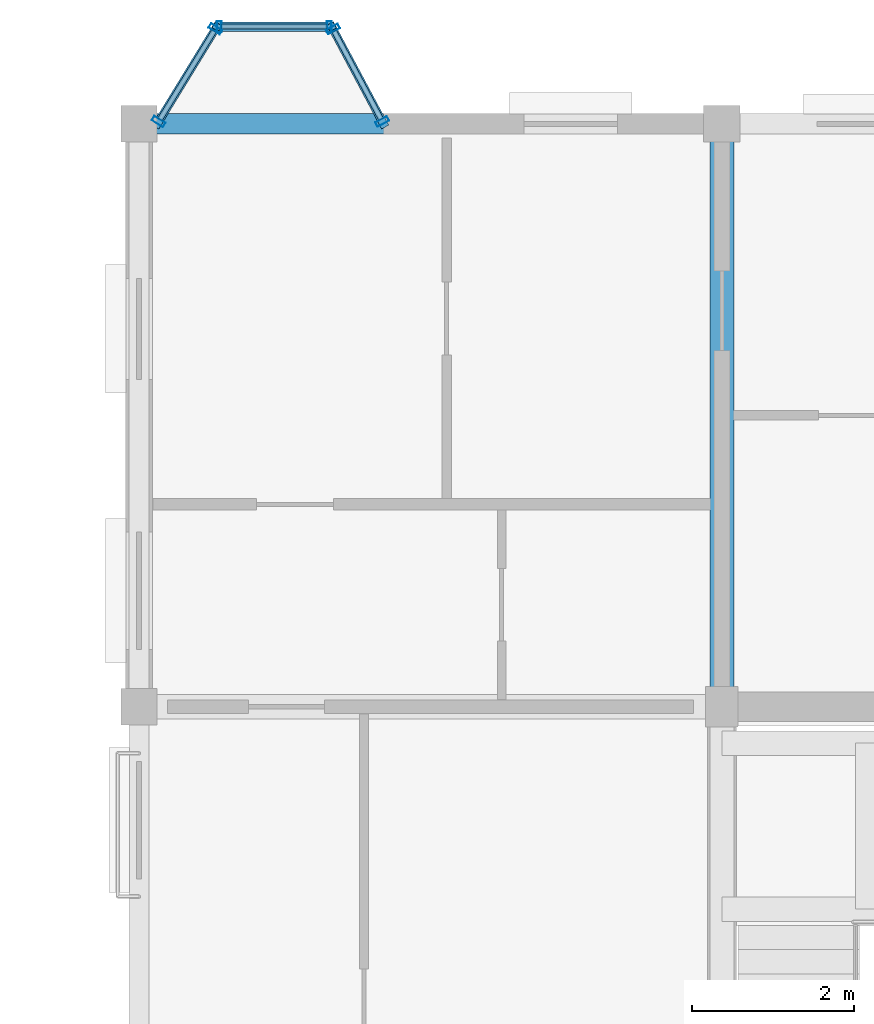
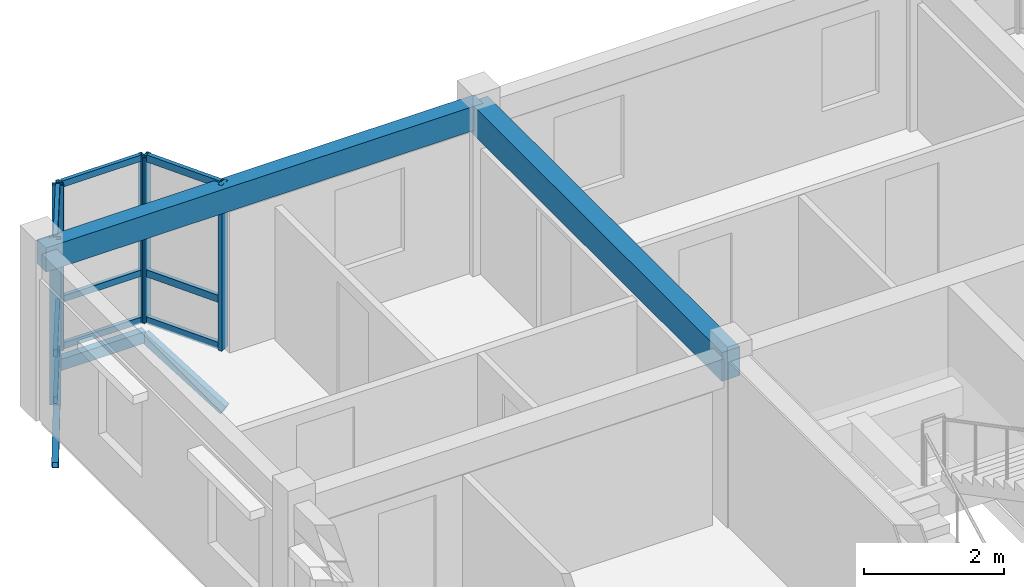
# One storey, part 10 of 28: 18 members, 2 beams, 3 elements without a shape of their own.
"""IFC4 building model written with IfcOpenShell, lengths in metres."""

from ifc_helpers import new_model, si_unit, direction, frame, origin, origin_2d, place, context, subcontext, project, spatial, rectangle, hollow_rectangle, extrude, material, layer, layer_set, material_profile, profile_set, type_object, element, aggregate, save


model = new_model("IFC4")

# Units and contexts
model_context = context("Model", 3, precision=1e-05, world=origin(), true_north=direction((0.0, 1.0)))
body_context = subcontext(model_context, "Body", "Model", "MODEL_VIEW")
ifc_project = project(units=[si_unit("LENGTHUNIT", "METRE"), si_unit("AREAUNIT", "SQUARE_METRE"), si_unit("VOLUMEUNIT", "CUBIC_METRE"), si_unit("PLANEANGLEUNIT", "RADIAN"), si_unit("MASSUNIT", "GRAM", prefix="KILO"), si_unit("THERMODYNAMICTEMPERATUREUNIT", "KELVIN"), si_unit("POWERUNIT", "WATT")], contexts=[model_context])

# Site, building, storey
site_placement = place(None, origin())
site = spatial("IfcSite", under=ifc_project, at=site_placement, CompositionType="ELEMENT")
building_placement = place(site_placement, origin())
building = spatial("IfcBuilding", under=site, at=building_placement, Name="Tavuni Mirador Residences", CompositionType="ELEMENT")
storey_placement = place(building_placement, frame((0.0, 0.0, 39.14990234375)))
storey = spatial("IfcBuildingStorey", under=building, at=storey_placement, Name="L12", CompositionType="ELEMENT", Elevation=39.14990234375)

# Beams
ifc_material_1 = material(Name="Precast concrete C40/50", Category="concrete")
ifc_material_profile_1 = material_profile(ifc_material_1, rectangle(XDim=0.300048828125, YDim=0.5, at=origin_2d()), Name="PC 300x500", Category="concrete")
ifc_profile_set_1 = profile_set([ifc_material_profile_1], Name="Precast concrete C40/50")
beam_type_1 = type_object("IfcBeamType", Name="BT-B500", PredefinedType="BEAM", material=ifc_profile_set_1)
beam_1_placement = place(storey_placement, frame((25.199951171875, 165.60009765625, 2.635009765625), z_axis=(0.0, 1.0, 0.0), x_axis=(-1.0, 0.0, 0.0)))
element("IfcBeam", 1, at=beam_1_placement, inside=storey, type_object=beam_type_1, Name="BMY-BLK-C-L12-01-02", PredefinedType="BEAM", context=body_context, shape_type="SweptSolid", body=[
    extrude(rectangle(XDim=0.300048828125, YDim=0.5, at=origin_2d()), origin(), (0.0, 0.0, 1.0), 7.199951171875),
])
ifc_material_profile_2 = material_profile(ifc_material_1, rectangle(XDim=0.25, YDim=0.419921875, at=origin_2d()), Name="PC 250x420", Category="concrete")
ifc_profile_set_2 = profile_set([ifc_material_profile_2], Name="Precast concrete C40/50")
beam_type_2 = type_object("IfcBeamType", Name="BT-SP420", PredefinedType="SPANDREL", material=ifc_profile_set_2)
beam_2_placement = place(storey_placement, frame((18.0, 172.800048828125, 2.675048828125), z_axis=(1.0, 0.0, 0.0), x_axis=(0.0, 1.0, 0.0)))
element("IfcBeam", 2, at=beam_2_placement, inside=storey, type_object=beam_type_2, Name="BMX-BLK-C-L12-00-03", PredefinedType="SPANDREL", context=body_context, shape_type="SweptSolid", body=[
    extrude(rectangle(XDim=0.25, YDim=0.419921875, at=origin_2d()), origin(), (0.0, 0.0, 1.0), 7.199951171875),
])

# Curtain wall, members
ifc_material_2 = material(Name="Anodised aluminium", Category="aluminium")
ifc_layer_1 = layer(ifc_material_2, 0.1650390625, Name="Anodised aluminium", Category="aluminium")
ifc_layer_set_1 = layer_set([ifc_layer_1], Name="Anodised aluminium")
curtain_wall_type_1 = type_object("IfcCurtainWallType", Name="CWT-MIR-A", PredefinedType="NOTDEFINED", material=ifc_layer_set_1)
curtain_wall_1_placement = place(storey_placement, origin())
curtain_wall_1 = element("IfcCurtainWall", 3, at=curtain_wall_1_placement, inside=storey, type_object=curtain_wall_type_1, Name="CW-MIR-C-N1-L12-MF", PredefinedType="NOTDEFINED")
ifc_material_profile_3 = material_profile(ifc_material_2, hollow_rectangle(XDim=0.06005859375, YDim=0.139892578125, WallThickness=0.00390625, at=origin_2d()), Name="ALU 60x140x4.0", Category="aluminium")
ifc_profile_set_3 = profile_set([ifc_material_profile_3], Name="Anodised aluminium")
member_type_1 = type_object("IfcMemberType", Name="CWM-140", PredefinedType="MULLION", material=ifc_profile_set_3)
member_1_placement = place(storey_placement, frame((20.35009765625, 174.0, 0.0), z_axis=(0.0, 0.0, 1.0), x_axis=(-1.0, 0.0, 0.0)))
member_1 = element("IfcMember", 4, at=member_1_placement, type_object=member_type_1, Name="CW-01 mullion 1", PredefinedType="MULLION", context=body_context, shape_type="SweptSolid", body=[
    extrude(hollow_rectangle(XDim=0.06005859375, YDim=0.139892578125, WallThickness=0.00390625, at=origin_2d()), origin(), (0.0, 0.0, 1.0), 2.885009765625),
])
member_2_placement = place(storey_placement, frame((18.989990234375, 174.0, 0.0), z_axis=(0.0, 0.0, 1.0), x_axis=(-1.0, 0.0, 0.0)))
member_2 = element("IfcMember", 5, at=member_2_placement, type_object=member_type_1, Name="CW-01 mullion 2", PredefinedType="MULLION", context=body_context, shape_type="SweptSolid", body=[
    extrude(hollow_rectangle(XDim=0.06005859375, YDim=0.139892578125, WallThickness=0.00390625, at=origin_2d()), origin(), (0.0, 0.0, 1.0), 2.885009765625),
])

ifc_layer_2 = layer(ifc_material_2, 0.159912109375, Name="Anodised aluminium", Category="aluminium")
ifc_layer_set_2 = layer_set([ifc_layer_2], Name="Anodised aluminium")
curtain_wall_type_2 = type_object("IfcCurtainWallType", Name="CWT-MIR-D", PredefinedType="NOTDEFINED", material=ifc_layer_set_2)
curtain_wall_2_placement = place(storey_placement, origin())
curtain_wall_2 = element("IfcCurtainWall", 6, at=curtain_wall_2_placement, inside=storey, type_object=curtain_wall_type_2, Name="CW-MIR-C-N1-L12-M1", PredefinedType="NOTDEFINED")
ifc_material_profile_4 = material_profile(ifc_material_2, hollow_rectangle(XDim=0.06494140625, YDim=0.1650390625, WallThickness=0.00439453125, at=origin_2d()), Name="ALU 65x165x4.5", Category="aluminium")
ifc_profile_set_4 = profile_set([ifc_material_profile_4], Name="Anodised aluminium")
member_type_2 = type_object("IfcMemberType", Name="CWM-165", PredefinedType="MULLION", material=ifc_profile_set_4)
member_3_placement = place(storey_placement, frame((21.004638671875, 172.82861328125, 0.0), z_axis=(0.0, 0.0, 1.0), x_axis=(-0.470588235296, 0.882352941175, 0.0)))
member_3 = element("IfcMember", 7, at=member_3_placement, type_object=member_type_2, Name="CW-04 mullion 1", PredefinedType="MULLION", context=body_context, shape_type="SweptSolid", body=[
    extrude(hollow_rectangle(XDim=0.06494140625, YDim=0.1650390625, WallThickness=0.00439453125, at=origin_2d()), origin(), (0.0, 0.0, 1.0), 2.885009765625),
])
member_4_placement = place(storey_placement, frame((20.395263671875, 173.971435546875, 0.0), z_axis=(0.0, 0.0, 1.0), x_axis=(-0.470588235296, 0.882352941175, 0.0)))
member_4 = element("IfcMember", 8, at=member_4_placement, type_object=member_type_2, Name="CW-04 mullion 2", PredefinedType="MULLION", context=body_context, shape_type="SweptSolid", body=[
    extrude(hollow_rectangle(XDim=0.06494140625, YDim=0.1650390625, WallThickness=0.00439453125, at=origin_2d()), origin(), (0.0, 0.0, 1.0), 2.885009765625),
])

ifc_layer_3 = layer(ifc_material_2, 0.14990234375, Name="Anodised aluminium", Category="aluminium")
ifc_layer_set_3 = layer_set([ifc_layer_3], Name="Anodised aluminium")
curtain_wall_type_3 = type_object("IfcCurtainWallType", Name="CWT-MIR-B", PredefinedType="NOTDEFINED", material=ifc_layer_set_3)
curtain_wall_3_placement = place(storey_placement, origin())
curtain_wall_3 = element("IfcCurtainWall", 9, at=curtain_wall_3_placement, inside=storey, type_object=curtain_wall_type_3, Name="CW-MIR-C-N1-L12-M2", PredefinedType="NOTDEFINED")
member_5_placement = place(storey_placement, frame((18.943115234375, 173.97216796875, 0.0), z_axis=(0.0, 0.0, 1.0), x_axis=(-0.522312079088, -0.852754414845, 0.0)))
member_5 = element("IfcMember", 10, at=member_5_placement, type_object=member_type_2, Name="CW-02 mullion 1", PredefinedType="MULLION", context=body_context, shape_type="SweptSolid", body=[
    extrude(hollow_rectangle(XDim=0.06494140625, YDim=0.1650390625, WallThickness=0.00439453125, at=origin_2d()), origin(), (0.0, 0.0, 1.0), 2.885009765625),
])
member_6_placement = place(storey_placement, frame((18.241943359375, 172.82763671875, 0.0), z_axis=(0.0, 0.0, 1.0), x_axis=(-0.522312079088, -0.852754414845, 0.0)))
member_6 = element("IfcMember", 11, at=member_6_placement, type_object=member_type_2, Name="CW-02 mullion 2", PredefinedType="MULLION", context=body_context, shape_type="SweptSolid", body=[
    extrude(hollow_rectangle(XDim=0.06494140625, YDim=0.1650390625, WallThickness=0.00439453125, at=origin_2d()), origin(), (0.0, 0.0, 1.0), 2.885009765625),
])

# Member
ifc_material_profile_5 = material_profile(ifc_material_2, hollow_rectangle(XDim=0.06005859375, YDim=0.110107421875, WallThickness=0.00390625, at=origin_2d()), Name="ALU 60x110x4.0", Category="aluminium")
ifc_profile_set_5 = profile_set([ifc_material_profile_5], Name="Anodised aluminium")
member_type_3 = type_object("IfcMemberType", Name="CWT-110", PredefinedType="USERDEFINED", material=ifc_profile_set_5)
member_7_placement = place(storey_placement, frame((20.320068359375, 174.0, 0.030029296875), z_axis=(-1.0, 0.0, 0.0), x_axis=(0.0, -1.0, 0.0)))
member_7 = element("IfcMember", 12, at=member_7_placement, type_object=member_type_3, Name="CW-01 transom 1.1", ObjectType="TRANSOM", PredefinedType="USERDEFINED", context=body_context, shape_type="SweptSolid", body=[
    extrude(hollow_rectangle(XDim=0.06005859375, YDim=0.110107421875, WallThickness=0.00390625, at=origin_2d()), origin(), (0.0, 0.0, 1.0), 1.300048828125),
])

member_8_placement = place(storey_placement, frame((20.320068359375, 174.0, 0.85009765625), z_axis=(-1.0, 0.0, 0.0), x_axis=(0.0, -1.0, 0.0)))
member_8 = element("IfcMember", 13, at=member_8_placement, type_object=member_type_3, Name="CW-01 transom 1.2", ObjectType="TRANSOM", PredefinedType="USERDEFINED", context=body_context, shape_type="SweptSolid", body=[
    extrude(hollow_rectangle(XDim=0.06005859375, YDim=0.110107421875, WallThickness=0.00390625, at=origin_2d()), origin(), (0.0, 0.0, 1.0), 1.300048828125),
])

member_9_placement = place(storey_placement, frame((20.320068359375, 174.0, 2.85498046875), z_axis=(-1.0, 0.0, 0.0), x_axis=(0.0, -1.0, 0.0)))
member_9 = element("IfcMember", 14, at=member_9_placement, type_object=member_type_3, Name="CW-01 transom 1.3", ObjectType="TRANSOM", PredefinedType="USERDEFINED", context=body_context, shape_type="SweptSolid", body=[
    extrude(hollow_rectangle(XDim=0.06005859375, YDim=0.110107421875, WallThickness=0.00390625, at=origin_2d()), origin(), (0.0, 0.0, 1.0), 1.300048828125),
])

aggregate(curtain_wall_1, [member_1, member_2, member_7, member_8, member_9])

ifc_material_profile_6 = material_profile(ifc_material_2, hollow_rectangle(XDim=0.06494140625, YDim=0.125, WallThickness=0.00439453125, at=origin_2d()), Name="ALU 65x125x4.5", Category="aluminium")
ifc_profile_set_6 = profile_set([ifc_material_profile_6], Name="Anodised aluminium")
member_type_4 = type_object("IfcMemberType", Name="CWT-125", PredefinedType="USERDEFINED", material=ifc_profile_set_6)
member_10_placement = place(storey_placement, frame((20.989501953125, 172.857421875, 0.03271484375), z_axis=(-0.470639747922, 0.882325465843, 0.0), x_axis=(-0.882325465843, -0.470639747922, 0.0)))
member_10 = element("IfcMember", 15, at=member_10_placement, type_object=member_type_4, Name="CW-04 transom 1.1", ObjectType="TRANSOM", PredefinedType="USERDEFINED", context=body_context, shape_type="SweptSolid", body=[
    extrude(hollow_rectangle(XDim=0.06494140625, YDim=0.125, WallThickness=0.00439453125, at=origin_2d()), origin(), (0.0, 0.0, 1.0), 1.22998046875),
])

member_11_placement = place(storey_placement, frame((20.989501953125, 172.857421875, 0.85009765625), z_axis=(-0.470639747922, 0.882325465843, 0.0), x_axis=(-0.882325465843, -0.470639747922, 0.0)))
member_11 = element("IfcMember", 16, at=member_11_placement, type_object=member_type_4, Name="CW-04 transom 1.2", ObjectType="TRANSOM", PredefinedType="USERDEFINED", context=body_context, shape_type="SweptSolid", body=[
    extrude(hollow_rectangle(XDim=0.06494140625, YDim=0.125, WallThickness=0.00439453125, at=origin_2d()), origin(), (0.0, 0.0, 1.0), 1.22998046875),
])

member_12_placement = place(storey_placement, frame((20.989501953125, 172.857421875, 2.8525390625), z_axis=(-0.470639747922, 0.882325465843, 0.0), x_axis=(-0.882325465843, -0.470639747922, 0.0)))
member_12 = element("IfcMember", 17, at=member_12_placement, type_object=member_type_4, Name="CW-04 transom 1.3", ObjectType="TRANSOM", PredefinedType="USERDEFINED", context=body_context, shape_type="SweptSolid", body=[
    extrude(hollow_rectangle(XDim=0.06494140625, YDim=0.125, WallThickness=0.00439453125, at=origin_2d()), origin(), (0.0, 0.0, 1.0), 1.22998046875),
])

aggregate(curtain_wall_2, [member_3, member_4, member_10, member_11, member_12])

member_13_placement = place(storey_placement, frame((18.926025390625, 173.944580078125, 0.03271484375), z_axis=(-0.522261685966, -0.852785278585, 0.0), x_axis=(0.852785278585, -0.522261685966, 0.0)))
member_13 = element("IfcMember", 18, at=member_13_placement, type_object=member_type_4, Name="CW-02 transom 1.1", ObjectType="TRANSOM", PredefinedType="USERDEFINED", context=body_context, shape_type="SweptSolid", body=[
    extrude(hollow_rectangle(XDim=0.06494140625, YDim=0.125, WallThickness=0.00439453125, at=origin_2d()), origin(), (0.0, 0.0, 1.0), 1.277099609375),
])

member_14_placement = place(storey_placement, frame((18.926025390625, 173.944580078125, 0.85009765625), z_axis=(-0.522261685966, -0.852785278585, 0.0), x_axis=(0.852785278585, -0.522261685966, 0.0)))
member_14 = element("IfcMember", 19, at=member_14_placement, type_object=member_type_4, Name="CW-02 transom 1.2", ObjectType="TRANSOM", PredefinedType="USERDEFINED", context=body_context, shape_type="SweptSolid", body=[
    extrude(hollow_rectangle(XDim=0.06494140625, YDim=0.125, WallThickness=0.00439453125, at=origin_2d()), origin(), (0.0, 0.0, 1.0), 1.277099609375),
])

member_15_placement = place(storey_placement, frame((18.926025390625, 173.944580078125, 2.8525390625), z_axis=(-0.522261685966, -0.852785278585, 0.0), x_axis=(0.852785278585, -0.522261685966, 0.0)))
member_15 = element("IfcMember", 20, at=member_15_placement, type_object=member_type_4, Name="CW-02 transom 1.3", ObjectType="TRANSOM", PredefinedType="USERDEFINED", context=body_context, shape_type="SweptSolid", body=[
    extrude(hollow_rectangle(XDim=0.06494140625, YDim=0.125, WallThickness=0.00439453125, at=origin_2d()), origin(), (0.0, 0.0, 1.0), 1.277099609375),
])

aggregate(curtain_wall_3, [member_5, member_6, member_13, member_14, member_15])

# Members
ifc_material_3 = material(Name="Structural steel S355", Category="steel")
ifc_material_profile_7 = material_profile(ifc_material_3, hollow_rectangle(XDim=0.10009765625, YDim=0.179931640625, WallThickness=0.008056640625, at=origin_2d()), Name="RHS 180x100x8.0", Category="steel")
ifc_profile_set_7 = profile_set([ifc_material_profile_7], Name="Structural steel S355")
member_type_5 = type_object("IfcMemberType", Name="MT-BR-RHS180", PredefinedType="BRACE", material=ifc_profile_set_7)
member_16_placement = place(storey_placement, frame((18.22509765625, 172.800048828125, -1.0498046875), z_axis=(0.456094374628, 0.744752110066, 0.487157280542), x_axis=(-0.852788223415, 0.522256877412, 0.0)))
element("IfcMember", 21, at=member_16_placement, inside=storey, type_object=member_type_5, Name="MBRK-MIR-C-N1-L12-1", PredefinedType="BRACE", context=body_context, shape_type="SweptSolid", body=[
    extrude(hollow_rectangle(XDim=0.10009765625, YDim=0.179931640625, WallThickness=0.008056640625, at=origin_2d()), origin(), (0.0, 0.0, 1.0), 1.611328125),
])
member_17_placement = place(storey_placement, frame((21.02001953125, 172.800048828125, -1.0498046875), z_axis=(-0.407660536563, 0.76416915988, 0.499858361956), x_axis=(-0.882303244255, -0.470681405175, 0.0)))
element("IfcMember", 22, at=member_17_placement, inside=storey, type_object=member_type_5, Name="MBRK-MIR-C-N1-L12-2", PredefinedType="BRACE", context=body_context, shape_type="SweptSolid", body=[
    extrude(hollow_rectangle(XDim=0.10009765625, YDim=0.179931640625, WallThickness=0.008056640625, at=origin_2d()), origin(), (0.0, 0.0, 1.0), 1.5703125),
])
ifc_material_profile_8 = material_profile(ifc_material_3, hollow_rectangle(XDim=0.1201171875, YDim=0.199951171875, WallThickness=0.010009765625, at=origin_2d()), Name="RHS 200x120x10.0", Category="steel")
ifc_profile_set_8 = profile_set([ifc_material_profile_8], Name="Structural steel S355")
member_type_6 = type_object("IfcMemberType", Name="MT-ST-RHS200", PredefinedType="STRUT", material=ifc_profile_set_8)
member_18_placement = place(storey_placement, frame((18.9599609375, 174.0, -0.264892578125), z_axis=(1.0, 0.0, 0.0), x_axis=(0.0, 1.0, 0.0)))
element("IfcMember", 23, at=member_18_placement, inside=storey, type_object=member_type_6, Name="MRIM-MIR-C-N1-L12", PredefinedType="STRUT", context=body_context, shape_type="SweptSolid", body=[
    extrude(hollow_rectangle(XDim=0.1201171875, YDim=0.199951171875, WallThickness=0.010009765625, at=origin_2d()), origin(), (0.0, 0.0, 1.0), 1.419921875),
])

save(model, "model.ifc")
